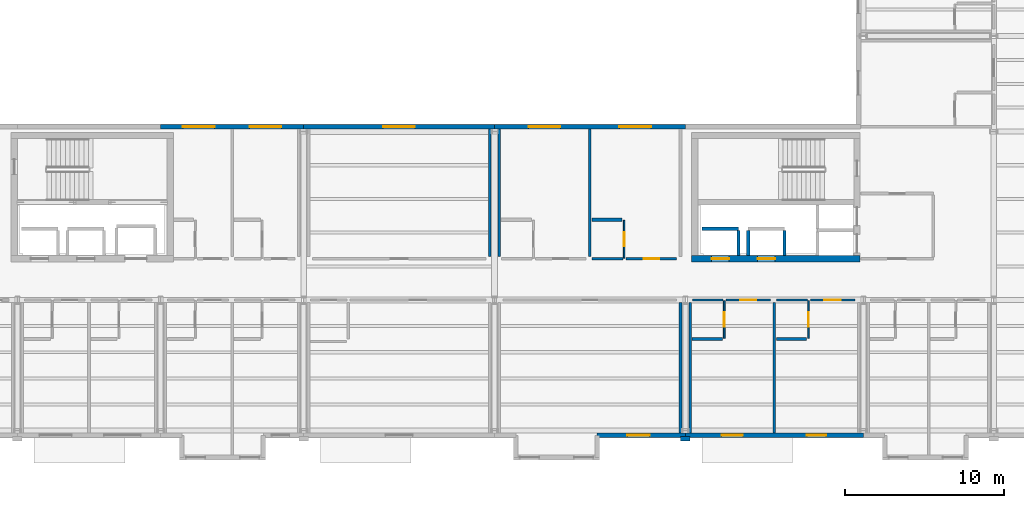
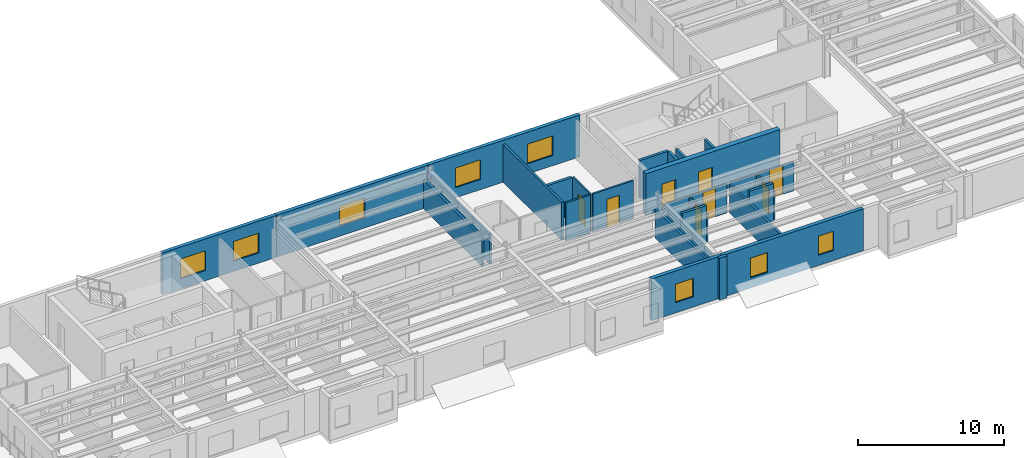
# One storey, part 8 of 17: 29 walls, 8 doors, 8 windows, 16 openings.
"""IFC4 building model written with IfcOpenShell, lengths in metres."""

import ifcopenshell
import ifcopenshell.guid

model = None  # the IFC model being written
_history = None  # IfcOwnerHistory: only IFC2X3 demands one
_inside = {}  # id of a spatial element -> (the spatial element, [elements in it])
_under = {}  # id of a project, library or spatial element -> (it, [spatial elements below it])
_declared = {}  # id of a project -> (the project, [libraries it declares])
_typed = {}  # id of a type object -> (the type object, [elements of that type])
_made_of = {}  # id of a material, layer set ... -> (it, [elements and type objects made of it])


def new_model(schema):
    """Start an empty IFC model of exactly this schema.

    Asked for "IFC4X3", IfcOpenShell would pick the latest addendum, in which some entities
    have other attributes; the version numbers below select the first issue.
    IFC2X3 requires an IfcOwnerHistory on every rooted entity: one is made here for all.
    """
    global model, _history
    if schema == "IFC4X3":
        model = ifcopenshell.file(schema_version=(4, 3, 0, 0))
    else:
        model = ifcopenshell.file(schema=schema)
    _inside.clear()
    _under.clear()
    _declared.clear()
    _typed.clear()
    _made_of.clear()
    _history = None
    if model.schema == "IFC2X3":
        org = make("IfcOrganization", Name="unknown")
        user = make(
            "IfcPersonAndOrganization",
            ThePerson=make("IfcPerson", FamilyName="unknown"),
            TheOrganization=org,
        )
        app = make(
            "IfcApplication",
            ApplicationDeveloper=org,
            Version="unknown",
            ApplicationFullName="unknown",
            ApplicationIdentifier="unknown",
        )
        _history = make(
            "IfcOwnerHistory",
            OwningUser=user,
            OwningApplication=app,
            ChangeAction="ADDED",
            CreationDate=0,
        )
    return model


def make(cls, **values):
    """One entity of the class cls with the attributes given. An attribute that is None is left unset."""
    return model.create_entity(
        cls, **{name: value for name, value in values.items() if value is not None}
    )


def rooted(cls, **values):
    """An entity with a GlobalId (a new one), such as an element, a storey or a relation."""
    return make(cls, GlobalId=ifcopenshell.guid.new(), OwnerHistory=_history, **values)


def si_unit(unit_type, name, prefix=None):
    """IfcSIUnit, for example si_unit("LENGTHUNIT", "METRE", prefix="MILLI")."""
    return make("IfcSIUnit", UnitType=unit_type, Prefix=prefix, Name=name)


def assignment(units):
    """IfcUnitAssignment: the units of a project."""
    return None if units is None else make("IfcUnitAssignment", Units=units)


def point(xyz):
    """IfcCartesianPoint."""
    return None if xyz is None else make("IfcCartesianPoint", Coordinates=xyz)


def direction(xyz):
    """IfcDirection."""
    return None if xyz is None else make("IfcDirection", DirectionRatios=xyz)


def frame(location, z_axis=None, x_axis=None):
    """IfcAxis2Placement3D, a coordinate frame: its origin and axes. An axis left out is left unset."""
    return make(
        "IfcAxis2Placement3D",
        Location=point(location),
        Axis=direction(z_axis),
        RefDirection=direction(x_axis),
    )


def frame_2d(location, x_axis=None):
    """IfcAxis2Placement2D, a coordinate frame in the plane: its origin and x axis."""
    return make(
        "IfcAxis2Placement2D", Location=point(location), RefDirection=direction(x_axis)
    )


def origin():
    """The frame at (0, 0, 0) with its axes left unset."""
    return frame((0.0, 0.0, 0.0))


def place(relative_to, where):
    """IfcLocalPlacement: puts the frame where relative to a parent placement (None: the world)."""
    return make(
        "IfcLocalPlacement", PlacementRelTo=relative_to, RelativePlacement=where
    )


def context(
    kind, dimensions, precision=None, world=None, true_north=None, identifier=None
):
    """IfcGeometricRepresentationContext, for example the 3D "Model" context."""
    return make(
        "IfcGeometricRepresentationContext",
        ContextIdentifier=identifier,
        ContextType=kind,
        CoordinateSpaceDimension=dimensions,
        Precision=precision,
        WorldCoordinateSystem=world,
        TrueNorth=true_north,
    )


def subcontext(parent, identifier, kind, view, scale=None):
    """IfcGeometricRepresentationSubContext, for example "Body" below "Model"."""
    return make(
        "IfcGeometricRepresentationSubContext",
        ContextIdentifier=identifier,
        ContextType=kind,
        ParentContext=parent,
        TargetScale=scale,
        TargetView=view,
    )


def project(units=None, contexts=None):
    """IfcProject with its units and contexts."""
    return rooted(
        "IfcProject",
        Name="project",
        RepresentationContexts=contexts,
        UnitsInContext=assignment(units),
    )


def spatial(cls, under=None, at=None, **own):
    """A site, building, storey or space (cls), placed at a placement, below another one or the project."""
    s = rooted(cls, ObjectPlacement=at, **own)
    if under is not None:
        _under.setdefault(under.id(), (under, []))[1].append(s)
    return s


def profile(cls, at=None, kind="AREA", **sizes):
    """A parametric profile (cls). Its sizes go by their IFC names, for example OverallWidth=200.0."""
    return make(cls, ProfileType=kind, Position=at, **sizes)


def rectangle(**sizes):
    """IfcRectangleProfileDef."""
    return profile("IfcRectangleProfileDef", **sizes)


def extrude(swept, where, along, depth):
    """IfcExtrudedAreaSolid: the profile swept, set in the frame where, extruded along a direction by depth."""
    return make(
        "IfcExtrudedAreaSolid",
        SweptArea=swept,
        Position=where,
        ExtrudedDirection=direction(along),
        Depth=depth,
    )


def shape(context_of_items, identifier, shape_type, items):
    """IfcShapeRepresentation: the items that make up one representation, for example the "Body"."""
    return make(
        "IfcShapeRepresentation",
        ContextOfItems=context_of_items,
        RepresentationIdentifier=identifier,
        RepresentationType=shape_type,
        Items=items,
    )


def material(Name=None, Category=None):
    """IfcMaterial."""
    return make("IfcMaterial", Name=Name, Category=Category)


def layer(
    of_material, thickness, ventilated=None, Name=None, Category=None, Priority=None
):
    """IfcMaterialLayer: one layer of a wall or slab, of a material (None: an air gap)."""
    return make(
        "IfcMaterialLayer",
        Material=of_material,
        LayerThickness=thickness,
        IsVentilated=ventilated,
        Name=Name,
        Category=Category,
        Priority=Priority,
    )


def layer_set(layers, Name=None):
    """IfcMaterialLayerSet."""
    return make("IfcMaterialLayerSet", MaterialLayers=layers, LayerSetName=Name)


def made_of(thing, what):
    """Note that an element or type object is made of a material, layer set ...; save() writes the relation."""
    if what is not None:
        _made_of.setdefault(what.id(), (what, []))[1].append(thing)
    return thing


def type_object(cls, material=None, **own):
    """A type object (cls), such as IfcWallType, which elements share."""
    return made_of(rooted(cls, **own), material)


def element(
    cls,
    number,
    at=None,
    inside=None,
    cuts=None,
    type_object=None,
    material=None,
    context=None,
    identifier="Body",
    shape_type=None,
    held_by="IfcProductDefinitionShape",
    body=None,
    shapes=None,
    **own,
):
    """One element of the class cls, such as IfcWall. Its Tag is "e" and its number.

    at: its placement. inside: the storey or other place that contains it. cuts: it is an
    opening in that element (IfcRelVoidsElement). A single representation is given by context,
    identifier, shape_type and body (its items); several are given by shapes. held_by: the class
    of the entity that holds the representations. save() writes the other relations.
    """
    e = rooted(cls, Tag="e%d" % number, ObjectPlacement=at, **own)
    if body is not None:
        shapes = [shape(context, identifier, shape_type, body)]
    if shapes is not None:
        e.Representation = make(held_by, Representations=shapes)
    if inside is not None:
        _inside.setdefault(inside.id(), (inside, []))[1].append(e)
    if cuts is not None:
        rooted(
            "IfcRelVoidsElement", RelatingBuildingElement=cuts, RelatedOpeningElement=e
        )
    if type_object is not None:
        _typed.setdefault(type_object.id(), (type_object, []))[1].append(e)
    return made_of(e, material)


def fill(opening, filler):
    """IfcRelFillsElement: the door or window that sits in an opening."""
    return rooted(
        "IfcRelFillsElement",
        RelatingOpeningElement=opening,
        RelatedBuildingElement=filler,
    )


def aggregate(whole, parts):
    """IfcRelAggregates: a whole, such as a stair, and the parts it consists of."""
    return rooted("IfcRelAggregates", RelatingObject=whole, RelatedObjects=parts)


def save(model, path):
    """Write the relations noted so far, then the file.

    IfcRelAggregates (storeys below a building ...), IfcRelContainedInSpatialStructure (elements
    in a storey), IfcRelDefinesByType, IfcRelAssociatesMaterial and IfcRelDeclares: one each for
    every whole, place, type object, material and project.
    """
    for whole, parts in _under.values():
        aggregate(whole, parts)
    for where, things in _inside.values():
        rooted(
            "IfcRelContainedInSpatialStructure",
            RelatedElements=things,
            RelatingStructure=where,
        )
    for kind, things in _typed.values():
        rooted("IfcRelDefinesByType", RelatedObjects=things, RelatingType=kind)
    for what, things in _made_of.values():
        rooted("IfcRelAssociatesMaterial", RelatedObjects=things, RelatingMaterial=what)
    for by, libraries in _declared.values():
        rooted("IfcRelDeclares", RelatingContext=by, RelatedDefinitions=libraries)
    model.write(path)


model = new_model("IFC4")

# Units and contexts
model_context = context("Model", 3, precision=1e-05, world=origin(), true_north=direction((0.0, 1.0)))
body_context = subcontext(model_context, "Body", "Model", "MODEL_VIEW")
ifc_project = project(units=[si_unit("LENGTHUNIT", "METRE"), si_unit("AREAUNIT", "SQUARE_METRE"), si_unit("VOLUMEUNIT", "CUBIC_METRE"), si_unit("PLANEANGLEUNIT", "RADIAN"), si_unit("MASSUNIT", "GRAM", prefix="KILO")], contexts=[model_context])

# Site, building, storey
site_placement = place(None, origin())
site = spatial("IfcSite", under=ifc_project, at=site_placement, CompositionType="ELEMENT")
building_placement = place(site_placement, origin())
building = spatial("IfcBuilding", under=site, at=building_placement, Name="Sollismere Congress Hotel", CompositionType="ELEMENT")
storey_placement = place(building_placement, frame((0.0, 0.0, 41.10009765625)))
storey = spatial("IfcBuildingStorey", under=building, at=storey_placement, Name="L10", CompositionType="ELEMENT", Elevation=41.10009765625)

# Wall, opening, window
ifc_material_1 = material(Name="Colorado Buff Sandstone Rainscreen on Insulated Backup", Category="masonry")
ifc_layer_1 = layer(ifc_material_1, 0.284912109375, Name="Colorado Buff Sandstone Rainscreen on Insulated Backup")
ifc_layer_set_1 = layer_set([ifc_layer_1], Name="Colorado Buff Sandstone Rainscreen on Insulated Backup")
wall_type_1 = type_object("IfcWallType", Name="WL-EXT285", PredefinedType="STANDARD", material=ifc_layer_set_1)
wall_1_placement = place(storey_placement, frame((130.4599609375, -0.31005859375, 0.0), z_axis=(0.0, 0.0, 1.0), x_axis=(1.0, 0.0, 0.0)))
wall_1 = element("IfcWall", 1, at=wall_1_placement, inside=storey, type_object=wall_type_1, Name="Exterior wall EW-L10-953", PredefinedType="STANDARD", context=body_context, shape_type="SweptSolid", body=[
    extrude(rectangle(XDim=5.5400390625, YDim=0.284912109375, at=frame_2d((2.77001953125, 0.0))), origin(), (0.0, 0.0, 1.0), 3.5),
])
opening_1_placement = place(wall_1_placement, frame((1.89501953125, 0.0, 0.85009765625)))
opening_1 = element("IfcOpeningElement", 2, at=opening_1_placement, cuts=wall_1, Name="Opening W-L10-682", PredefinedType="OPENING", context=body_context, shape_type="SweptSolid", body=[
    extrude(rectangle(XDim=1.39990234375, YDim=1.550048828125, at=frame_2d((0.699951171875, 0.77490234375))), frame((0.0, 0.15234375, 0.0), z_axis=(0.0, -1.0, 0.0), x_axis=(1.0, 0.0, 0.0)), (0.0, 0.0, 1.0), 0.304931640625),
])
ifc_material_2 = material(Name="Thermally Broken Bronze Aluminum & Low-E Glass", Category="aluminium")
window_type_1 = type_object("IfcWindowType", Name="WN-P140x155", PartitioningType="SINGLE_PANEL", PredefinedType="WINDOW", material=ifc_material_2)
window_1_placement = place(opening_1_placement, origin())
window_1 = element("IfcWindow", 3, at=window_1_placement, inside=storey, type_object=window_type_1, Name="WIN-W-L10-682", OverallHeight=1.550048828125, OverallWidth=1.39990234375, PartitioningType="SINGLE_PANEL", PredefinedType="WINDOW", context=body_context, shape_type="SweptSolid", body=[
    extrude(rectangle(XDim=1.39990234375, YDim=1.550048828125, at=frame_2d((0.699951171875, 0.77490234375))), frame((0.0, 0.030029296875, 0.0), z_axis=(0.0, -1.0, 0.0), x_axis=(1.0, 0.0, 0.0)), (0.0, 0.0, 1.0), 0.06005859375),
])
fill(opening_1, window_1)

# Wall, openings, windows
wall_2_placement = place(storey_placement, frame((136.0, -0.31005859375, 0.0), z_axis=(0.0, 0.0, 1.0), x_axis=(1.0, 0.0, 0.0)))
wall_2 = element("IfcWall", 4, at=wall_2_placement, inside=storey, type_object=wall_type_1, Name="Exterior wall EW-L10-957", PredefinedType="STANDARD", context=body_context, shape_type="SweptSolid", body=[
    extrude(rectangle(XDim=11.199951171875, YDim=0.284912109375, at=frame_2d((5.60009765625, 0.0))), origin(), (0.0, 0.0, 1.0), 3.5),
])
opening_2_placement = place(wall_2_placement, frame((2.27490234375, 0.0, 0.85009765625)))
opening_2 = element("IfcOpeningElement", 5, at=opening_2_placement, cuts=wall_2, Name="Opening W-L10-685", PredefinedType="OPENING", context=body_context, shape_type="SweptSolid", body=[
    extrude(rectangle(XDim=1.35009765625, YDim=1.64990234375, at=frame_2d((0.675048828125, 0.824951171875))), frame((0.0, 0.15234375, 0.0), z_axis=(0.0, -1.0, 0.0), x_axis=(1.0, 0.0, 0.0)), (0.0, 0.0, 1.0), 0.304931640625),
])
opening_3_placement = place(wall_2_placement, frame((7.64990234375, 0.0, 0.85009765625)))
opening_3 = element("IfcOpeningElement", 6, at=opening_3_placement, cuts=wall_2, Name="Opening W-L10-686", PredefinedType="OPENING", context=body_context, shape_type="SweptSolid", body=[
    extrude(rectangle(XDim=1.199951171875, YDim=1.60009765625, at=frame_2d((0.60009765625, 0.800048828125))), frame((0.0, 0.15234375, 0.0), z_axis=(0.0, -1.0, 0.0), x_axis=(1.0, 0.0, 0.0)), (0.0, 0.0, 1.0), 0.304931640625),
])
window_type_2 = type_object("IfcWindowType", Name="WN-P120x160", PartitioningType="SINGLE_PANEL", PredefinedType="WINDOW", material=ifc_material_2)
window_2_placement = place(opening_3_placement, origin())
window_2 = element("IfcWindow", 7, at=window_2_placement, inside=storey, type_object=window_type_2, Name="WIN-W-L10-686", OverallHeight=1.60009765625, OverallWidth=1.199951171875, PartitioningType="SINGLE_PANEL", PredefinedType="WINDOW", context=body_context, shape_type="SweptSolid", body=[
    extrude(rectangle(XDim=1.199951171875, YDim=1.60009765625, at=frame_2d((0.60009765625, 0.800048828125))), frame((0.0, 0.030029296875, 0.0), z_axis=(0.0, -1.0, 0.0), x_axis=(1.0, 0.0, 0.0)), (0.0, 0.0, 1.0), 0.06005859375),
])
fill(opening_3, window_2)
window_type_3 = type_object("IfcWindowType", Name="WN-P135x165", PartitioningType="SINGLE_PANEL", PredefinedType="WINDOW", material=ifc_material_2)
window_3_placement = place(opening_2_placement, origin())
window_3 = element("IfcWindow", 8, at=window_3_placement, inside=storey, type_object=window_type_3, Name="WIN-W-L10-685", OverallHeight=1.64990234375, OverallWidth=1.35009765625, PartitioningType="SINGLE_PANEL", PredefinedType="WINDOW", context=body_context, shape_type="SweptSolid", body=[
    extrude(rectangle(XDim=1.35009765625, YDim=1.64990234375, at=frame_2d((0.675048828125, 0.824951171875))), frame((0.0, 0.030029296875, 0.0), z_axis=(0.0, -1.0, 0.0), x_axis=(1.0, 0.0, 0.0)), (0.0, 0.0, 1.0), 0.06005859375),
])
fill(opening_2, window_3)

wall_3_placement = place(storey_placement, frame((112.0, 19.110107421875, 0.0), z_axis=(0.0, 0.0, 1.0), x_axis=(-1.0, 0.0, 0.0)))
wall_3 = element("IfcWall", 9, at=wall_3_placement, inside=storey, type_object=wall_type_1, Name="Exterior wall EW-L10-986", PredefinedType="STANDARD", context=body_context, shape_type="SweptSolid", body=[
    extrude(rectangle(XDim=9.0, YDim=0.284912109375, at=frame_2d((4.5, 0.0))), origin(), (0.0, 0.0, 1.0), 3.5),
])
opening_4_placement = place(wall_3_placement, frame((5.60009765625, 0.0, 0.85009765625)))
opening_4 = element("IfcOpeningElement", 10, at=opening_4_placement, cuts=wall_3, Name="Opening W-L10-700", PredefinedType="OPENING", context=body_context, shape_type="SweptSolid", body=[
    extrude(rectangle(XDim=2.0, YDim=1.64990234375, at=frame_2d((1.0, 0.824951171875))), frame((0.0, 0.15234375, 0.0), z_axis=(0.0, -1.0, 0.0), x_axis=(1.0, 0.0, 0.0)), (0.0, 0.0, 1.0), 0.304931640625),
])
opening_5_placement = place(wall_3_placement, frame((1.39990234375, 0.0, 0.85009765625)))
opening_5 = element("IfcOpeningElement", 11, at=opening_5_placement, cuts=wall_3, Name="Opening W-L10-701", PredefinedType="OPENING", context=body_context, shape_type="SweptSolid", body=[
    extrude(rectangle(XDim=2.0, YDim=1.64990234375, at=frame_2d((1.0, 0.824951171875))), frame((0.0, 0.15234375, 0.0), z_axis=(0.0, -1.0, 0.0), x_axis=(1.0, 0.0, 0.0)), (0.0, 0.0, 1.0), 0.304931640625),
])
window_type_4 = type_object("IfcWindowType", Name="WN-P200x165", PartitioningType="SINGLE_PANEL", PredefinedType="WINDOW", material=ifc_material_2)
window_4_placement = place(opening_4_placement, origin())
window_4 = element("IfcWindow", 12, at=window_4_placement, inside=storey, type_object=window_type_4, Name="WIN-W-L10-700", OverallHeight=1.64990234375, OverallWidth=2.0, PartitioningType="SINGLE_PANEL", PredefinedType="WINDOW", context=body_context, shape_type="SweptSolid", body=[
    extrude(rectangle(XDim=2.0, YDim=1.64990234375, at=frame_2d((1.0, 0.824951171875))), frame((0.0, 0.030029296875, 0.0), z_axis=(0.0, -1.0, 0.0), x_axis=(1.0, 0.0, 0.0)), (0.0, 0.0, 1.0), 0.06005859375),
])
fill(opening_4, window_4)
window_5_placement = place(opening_5_placement, origin())
window_5 = element("IfcWindow", 13, at=window_5_placement, inside=storey, type_object=window_type_4, Name="WIN-W-L10-701", OverallHeight=1.64990234375, OverallWidth=2.0, PartitioningType="SINGLE_PANEL", PredefinedType="WINDOW", context=body_context, shape_type="SweptSolid", body=[
    extrude(rectangle(XDim=2.0, YDim=1.64990234375, at=frame_2d((1.0, 0.824951171875))), frame((0.0, 0.030029296875, 0.0), z_axis=(0.0, -1.0, 0.0), x_axis=(1.0, 0.0, 0.0)), (0.0, 0.0, 1.0), 0.06005859375),
])
fill(opening_5, window_5)

# Wall, opening, window
wall_4_placement = place(storey_placement, frame((124.0, 19.110107421875, 0.0), z_axis=(0.0, 0.0, 1.0), x_axis=(-1.0, 0.0, 0.0)))
wall_4 = element("IfcWall", 14, at=wall_4_placement, inside=storey, type_object=wall_type_1, Name="Exterior wall EW-L10-987", PredefinedType="STANDARD", context=body_context, shape_type="SweptSolid", body=[
    extrude(rectangle(XDim=12.0, YDim=0.284912109375, at=frame_2d((6.0, 0.0))), origin(), (0.0, 0.0, 1.0), 3.5),
])
opening_6_placement = place(wall_4_placement, frame((5.0, 0.0, 0.85009765625)))
opening_6 = element("IfcOpeningElement", 15, at=opening_6_placement, cuts=wall_4, Name="Opening W-L10-702", PredefinedType="OPENING", context=body_context, shape_type="SweptSolid", body=[
    extrude(rectangle(XDim=2.0, YDim=1.64990234375, at=frame_2d((1.0, 0.824951171875))), frame((0.0, 0.15234375, 0.0), z_axis=(0.0, -1.0, 0.0), x_axis=(1.0, 0.0, 0.0)), (0.0, 0.0, 1.0), 0.304931640625),
])
window_6_placement = place(opening_6_placement, origin())
window_6 = element("IfcWindow", 16, at=window_6_placement, inside=storey, type_object=window_type_4, Name="WIN-W-L10-702", OverallHeight=1.64990234375, OverallWidth=2.0, PartitioningType="SINGLE_PANEL", PredefinedType="WINDOW", context=body_context, shape_type="SweptSolid", body=[
    extrude(rectangle(XDim=2.0, YDim=1.64990234375, at=frame_2d((1.0, 0.824951171875))), frame((0.0, 0.030029296875, 0.0), z_axis=(0.0, -1.0, 0.0), x_axis=(1.0, 0.0, 0.0)), (0.0, 0.0, 1.0), 0.06005859375),
])
fill(opening_6, window_6)

# Wall, openings, windows
wall_5_placement = place(storey_placement, frame((136.0, 19.110107421875, 0.0), z_axis=(0.0, 0.0, 1.0), x_axis=(-1.0, 0.0, 0.0)))
wall_5 = element("IfcWall", 17, at=wall_5_placement, inside=storey, type_object=wall_type_1, Name="Exterior wall EW-L10-988", PredefinedType="STANDARD", context=body_context, shape_type="SweptSolid", body=[
    extrude(rectangle(XDim=12.0, YDim=0.284912109375, at=frame_2d((6.0, 0.0))), origin(), (0.0, 0.0, 1.0), 3.5),
])
opening_7_placement = place(wall_5_placement, frame((7.85009765625, 0.0, 0.85009765625)))
opening_7 = element("IfcOpeningElement", 18, at=opening_7_placement, cuts=wall_5, Name="Opening W-L10-703", PredefinedType="OPENING", context=body_context, shape_type="SweptSolid", body=[
    extrude(rectangle(XDim=2.0, YDim=1.64990234375, at=frame_2d((1.0, 0.824951171875))), frame((0.0, 0.15234375, 0.0), z_axis=(0.0, -1.0, 0.0), x_axis=(1.0, 0.0, 0.0)), (0.0, 0.0, 1.0), 0.304931640625),
])
opening_8_placement = place(wall_5_placement, frame((2.14990234375, 0.0, 0.85009765625)))
opening_8 = element("IfcOpeningElement", 19, at=opening_8_placement, cuts=wall_5, Name="Opening W-L10-704", PredefinedType="OPENING", context=body_context, shape_type="SweptSolid", body=[
    extrude(rectangle(XDim=2.0, YDim=1.64990234375, at=frame_2d((1.0, 0.824951171875))), frame((0.0, 0.15234375, 0.0), z_axis=(0.0, -1.0, 0.0), x_axis=(1.0, 0.0, 0.0)), (0.0, 0.0, 1.0), 0.304931640625),
])
window_7_placement = place(opening_7_placement, origin())
window_7 = element("IfcWindow", 20, at=window_7_placement, inside=storey, type_object=window_type_4, Name="WIN-W-L10-703", OverallHeight=1.64990234375, OverallWidth=2.0, PartitioningType="SINGLE_PANEL", PredefinedType="WINDOW", context=body_context, shape_type="SweptSolid", body=[
    extrude(rectangle(XDim=2.0, YDim=1.64990234375, at=frame_2d((1.0, 0.824951171875))), frame((0.0, 0.030029296875, 0.0), z_axis=(0.0, -1.0, 0.0), x_axis=(1.0, 0.0, 0.0)), (0.0, 0.0, 1.0), 0.06005859375),
])
fill(opening_7, window_7)
window_8_placement = place(opening_8_placement, origin())
window_8 = element("IfcWindow", 21, at=window_8_placement, inside=storey, type_object=window_type_4, Name="WIN-W-L10-704", OverallHeight=1.64990234375, OverallWidth=2.0, PartitioningType="SINGLE_PANEL", PredefinedType="WINDOW", context=body_context, shape_type="SweptSolid", body=[
    extrude(rectangle(XDim=2.0, YDim=1.64990234375, at=frame_2d((1.0, 0.824951171875))), frame((0.0, 0.030029296875, 0.0), z_axis=(0.0, -1.0, 0.0), x_axis=(1.0, 0.0, 0.0)), (0.0, 0.0, 1.0), 0.06005859375),
])
fill(opening_8, window_8)

# Walls
ifc_material_3 = material(Name="Carved Travertine Pilaster & Frieze Assembly", Category="masonry")
ifc_layer_2 = layer(ifc_material_3, 0.260009765625, Name="Carved Travertine Pilaster & Frieze Assembly")
ifc_layer_set_2 = layer_set([ifc_layer_2], Name="Carved Travertine Pilaster & Frieze Assembly")
wall_type_2 = type_object("IfcWallType", Name="WL-PIL280", PredefinedType="ELEMENTEDWALL", material=ifc_layer_set_2)
wall_6_placement = place(storey_placement, frame((135.699951171875, -0.52001953125, 0.0), z_axis=(0.0, 0.0, 1.0), x_axis=(1.0, 0.0, 0.0)))
element("IfcWall", 22, at=wall_6_placement, inside=storey, type_object=wall_type_2, Name="Exterior wall EW-L10-958", PredefinedType="ELEMENTEDWALL", context=body_context, shape_type="SweptSolid", body=[
    extrude(rectangle(XDim=0.60009765625, YDim=0.260009765625, at=frame_2d((0.300048828125, 0.0))), origin(), (0.0, 0.0, 1.0), 3.5),
])
ifc_material_4 = material(Name="Moisture-Resistant Shaft Gypsum Assembly")
ifc_layer_3 = layer(ifc_material_4, 0.199951171875, Name="Moisture-Resistant Shaft Gypsum Assembly")
ifc_layer_set_3 = layer_set([ifc_layer_3], Name="Moisture-Resistant Shaft Gypsum Assembly")
wall_type_3 = type_object("IfcWallType", Name="WL-PLM200", PredefinedType="PLUMBINGWALL", material=ifc_layer_set_3)
wall_7_placement = place(storey_placement, frame((137.054931640625, 12.68994140625, 0.0), z_axis=(0.0, 0.0, 1.0), x_axis=(1.0, 0.0, 0.0)))
element("IfcWall", 23, at=wall_7_placement, inside=storey, type_object=wall_type_3, Name="Interior wall IW-L10-0182", PredefinedType="PLUMBINGWALL", context=body_context, shape_type="SweptSolid", body=[
    extrude(rectangle(XDim=2.2900390625, YDim=0.199951171875, at=frame_2d((1.14501953125, 0.0))), origin(), (0.0, 0.0, 1.0), 3.179931640625),
])
for number, where, z_axis, x_axis, name in (
    (24, (139.344970703125, 11.011962890625, 0.0), (0.0, 0.0, 1.0), (0.0, 1.0, 0.0), "Interior wall IW-L10-0183"),
    (25, (139.955078125, 11.011962890625, 0.0), (0.0, 0.0, 1.0), (0.0, 1.0, 0.0), "Interior wall IW-L10-0185"),
    (26, (142.2451171875, 11.011962890625, 0.0), (0.0, 0.0, 1.0), (0.0, 1.0, 0.0), "Interior wall IW-L10-0186"),
):
    element("IfcWall", number, at=place(storey_placement, frame(where, z_axis=z_axis, x_axis=x_axis)), inside=storey, type_object=wall_type_3, Name=name, PredefinedType="PLUMBINGWALL", context=body_context, shape_type="SweptSolid", body=[
        extrude(rectangle(XDim=1.56591796875, YDim=0.199951171875, at=frame_2d((0.782958984375, 0.0))), origin(), (0.0, 0.0, 1.0), 3.179931640625),
    ])
wall_8_placement = place(storey_placement, frame((130.1201171875, 13.25, 0.0), z_axis=(0.0, 0.0, 1.0), x_axis=(1.0, 0.0, 0.0)))
element("IfcWall", 27, at=wall_8_placement, inside=storey, type_object=wall_type_3, Name="Interior wall IW-L10-2788", PredefinedType="PLUMBINGWALL", context=body_context, shape_type="SweptSolid", body=[
    extrude(rectangle(XDim=1.909912109375, YDim=0.199951171875, at=frame_2d((0.955078125, 0.0))), origin(), (0.0, 0.0, 1.0), 3.179931640625),
])
wall_9_placement = place(storey_placement, frame((136.419921875, 5.75, 0.0), z_axis=(0.0, 0.0, 1.0), x_axis=(1.0, 0.0, 0.0)))
element("IfcWall", 28, at=wall_9_placement, inside=storey, type_object=wall_type_3, Name="Interior wall IW-L10-2794", PredefinedType="PLUMBINGWALL", context=body_context, shape_type="SweptSolid", body=[
    extrude(rectangle(XDim=1.91015625, YDim=0.199951171875, at=frame_2d((0.955078125, 0.0))), origin(), (0.0, 0.0, 1.0), 3.179931640625),
])
wall_10_placement = place(storey_placement, frame((141.719970703125, 5.75, 0.0), z_axis=(0.0, 0.0, 1.0), x_axis=(1.0, 0.0, 0.0)))
element("IfcWall", 29, at=wall_10_placement, inside=storey, type_object=wall_type_3, Name="Interior wall IW-L10-2799", PredefinedType="PLUMBINGWALL", context=body_context, shape_type="SweptSolid", body=[
    extrude(rectangle(XDim=1.909912109375, YDim=0.199951171875, at=frame_2d((0.955078125, 0.0))), origin(), (0.0, 0.0, 1.0), 3.179931640625),
])

# Wall, opening, door
ifc_material_5 = material(Name="Moisture-Resistant Gypsum Partition")
ifc_layer_4 = layer(ifc_material_5, 0.10009765625, Name="Moisture-Resistant Gypsum Partition")
ifc_layer_set_4 = layer_set([ifc_layer_4], Name="Moisture-Resistant Gypsum Partition")
wall_type_4 = type_object("IfcWallType", Name="WL-PRT100", PredefinedType="PARTITIONING", material=ifc_layer_set_4)
wall_11_placement = place(storey_placement, frame((132.14990234375, 10.840087890625, 0.0), z_axis=(0.0, 0.0, 1.0), x_axis=(0.0, 1.0, 0.0)))
wall_11 = element("IfcWall", 30, at=wall_11_placement, inside=storey, type_object=wall_type_4, Name="Interior wall IW-L10-2787", PredefinedType="PARTITIONING", context=body_context, shape_type="SweptSolid", body=[
    extrude(rectangle(XDim=2.369873046875, YDim=0.10009765625, at=frame_2d((1.18505859375, 0.0))), origin(), (0.0, 0.0, 1.0), 3.179931640625),
])
opening_9_placement = place(wall_11_placement, frame((0.7451171875, 0.0, 0.0)))
opening_9 = element("IfcOpeningElement", 31, at=opening_9_placement, cuts=wall_11, Name="Opening D-L10-0985", PredefinedType="OPENING", context=body_context, shape_type="SweptSolid", body=[
    extrude(rectangle(XDim=0.8798828125, YDim=2.179931640625, at=frame_2d((0.43994140625, 1.08984375))), frame((0.0, 0.06005859375, 0.0), z_axis=(0.0, -1.0, 0.0), x_axis=(1.0, 0.0, 0.0)), (0.0, 0.0, 1.0), 0.1201171875),
])
ifc_material_6 = material(Name="Moisture-Sealed Timber Bathroom Door", Category="wood")
door_type_1 = type_object("IfcDoorType", Name="DR-BT05", OperationType="NOTDEFINED", PredefinedType="DOOR", material=ifc_material_6)
door_1_placement = place(opening_9_placement, origin())
door_1 = element("IfcDoor", 32, at=door_1_placement, inside=storey, type_object=door_type_1, Name="En-suite bathroom door D-L10-0985", OperationType="SINGLE_SWING_RIGHT", OverallHeight=2.179931640625, OverallWidth=0.8798828125, PredefinedType="DOOR", context=body_context, shape_type="SweptSolid", body=[
    extrude(rectangle(XDim=0.8798828125, YDim=2.179931640625, at=frame_2d((0.43994140625, 1.08984375))), frame((0.0, 0.02490234375, 0.0), z_axis=(0.0, -1.0, 0.0), x_axis=(1.0, 0.0, 0.0)), (0.0, 0.0, 1.0), 0.050048828125),
])
fill(opening_9, door_1)

wall_12_placement = place(storey_placement, frame((138.449951171875, 5.7900390625, 0.0), z_axis=(0.0, 0.0, 1.0), x_axis=(0.0, 1.0, 0.0)))
wall_12 = element("IfcWall", 33, at=wall_12_placement, inside=storey, type_object=wall_type_4, Name="Interior wall IW-L10-2793", PredefinedType="PARTITIONING", context=body_context, shape_type="SweptSolid", body=[
    extrude(rectangle(XDim=2.369873046875, YDim=0.10009765625, at=frame_2d((1.18505859375, 0.0))), origin(), (0.0, 0.0, 1.0), 2.41796875),
])
opening_10_placement = place(wall_12_placement, frame((0.73291015625, 0.0, 0.0)))
opening_10 = element("IfcOpeningElement", 34, at=opening_10_placement, cuts=wall_12, Name="Opening D-L10-0987", PredefinedType="OPENING", context=body_context, shape_type="SweptSolid", body=[
    extrude(rectangle(XDim=0.905029296875, YDim=2.179931640625, at=frame_2d((0.45263671875, 1.08984375))), frame((0.0, 0.06005859375, 0.0), z_axis=(0.0, -1.0, 0.0), x_axis=(1.0, 0.0, 0.0)), (0.0, 0.0, 1.0), 0.1201171875),
])
door_type_2 = type_object("IfcDoorType", Name="DR-BT06", OperationType="NOTDEFINED", PredefinedType="DOOR", material=ifc_material_6)
door_2_placement = place(opening_10_placement, origin())
door_2 = element("IfcDoor", 35, at=door_2_placement, inside=storey, type_object=door_type_2, Name="En-suite bathroom door D-L10-0987", OperationType="SINGLE_SWING_RIGHT", OverallHeight=2.179931640625, OverallWidth=0.905029296875, PredefinedType="DOOR", context=body_context, shape_type="SweptSolid", body=[
    extrude(rectangle(XDim=0.905029296875, YDim=2.179931640625, at=frame_2d((0.45263671875, 1.08984375))), frame((0.0, 0.02490234375, 0.0), z_axis=(0.0, -1.0, 0.0), x_axis=(1.0, 0.0, 0.0)), (0.0, 0.0, 1.0), 0.050048828125),
])
fill(opening_10, door_2)

wall_13_placement = place(storey_placement, frame((143.75, 5.7900390625, 0.0), z_axis=(0.0, 0.0, 1.0), x_axis=(0.0, 1.0, 0.0)))
wall_13 = element("IfcWall", 36, at=wall_13_placement, inside=storey, type_object=wall_type_4, Name="Interior wall IW-L10-2798", PredefinedType="PARTITIONING", context=body_context, shape_type="SweptSolid", body=[
    extrude(rectangle(XDim=2.369873046875, YDim=0.10009765625, at=frame_2d((1.18505859375, 0.0))), origin(), (0.0, 0.0, 1.0), 2.41796875),
])
opening_11_placement = place(wall_13_placement, frame((0.719970703125, 0.0, 0.0)))
opening_11 = element("IfcOpeningElement", 37, at=opening_11_placement, cuts=wall_13, Name="Opening D-L10-0989", PredefinedType="OPENING", context=body_context, shape_type="SweptSolid", body=[
    extrude(rectangle(XDim=0.929931640625, YDim=2.219970703125, at=frame_2d((0.46484375, 1.10986328125))), frame((0.0, 0.06005859375, 0.0), z_axis=(0.0, -1.0, 0.0), x_axis=(1.0, 0.0, 0.0)), (0.0, 0.0, 1.0), 0.1201171875),
])
door_type_3 = type_object("IfcDoorType", Name="DR-BT07", OperationType="NOTDEFINED", PredefinedType="DOOR", material=ifc_material_6)
door_3_placement = place(opening_11_placement, origin())
door_3 = element("IfcDoor", 38, at=door_3_placement, inside=storey, type_object=door_type_3, Name="En-suite bathroom door D-L10-0989", OperationType="SINGLE_SWING_RIGHT", OverallHeight=2.219970703125, OverallWidth=0.929931640625, PredefinedType="DOOR", context=body_context, shape_type="SweptSolid", body=[
    extrude(rectangle(XDim=0.929931640625, YDim=2.219970703125, at=frame_2d((0.46484375, 1.10986328125))), frame((0.0, 0.02490234375, 0.0), z_axis=(0.0, -1.0, 0.0), x_axis=(1.0, 0.0, 0.0)), (0.0, 0.0, 1.0), 0.050048828125),
])
fill(opening_11, door_3)

# Wall
ifc_material_7 = material(Name="Fire-Rated Gypsum Partition")
ifc_layer_5 = layer(ifc_material_7, 0.139892578125, Name="Fire-Rated Gypsum Partition")
ifc_layer_set_5 = layer_set([ifc_layer_5], Name="Fire-Rated Gypsum Partition")
wall_type_5 = type_object("IfcWallType", Name="WL-PRT140R", PredefinedType="PARTITIONING", material=ifc_layer_set_5)
wall_14_placement = place(storey_placement, frame((130.139892578125, 10.800048828125, 0.0), z_axis=(0.0, 0.0, 1.0), x_axis=(1.0, 0.0, 0.0)))
element("IfcWall", 39, at=wall_14_placement, inside=storey, type_object=wall_type_5, Name="Interior wall IW-L10-2784", PredefinedType="PARTITIONING", context=body_context, shape_type="SweptSolid", body=[
    extrude(rectangle(XDim=1.93017578125, YDim=0.139892578125, at=frame_2d((0.965087890625, 0.0))), origin(), (0.0, 0.0, 1.0), 3.179931640625),
])

# Wall, opening, door
wall_15_placement = place(storey_placement, frame((132.27001953125, 10.800048828125, 0.0), z_axis=(0.0, 0.0, 1.0), x_axis=(1.0, 0.0, 0.0)))
wall_15 = element("IfcWall", 40, at=wall_15_placement, inside=storey, type_object=wall_type_5, Name="Interior wall IW-L10-2785", PredefinedType="PARTITIONING", context=body_context, shape_type="SweptSolid", body=[
    extrude(rectangle(XDim=3.18994140625, YDim=0.139892578125, at=frame_2d((1.594970703125, 0.0))), origin(), (0.0, 0.0, 1.0), 3.179931640625),
])
opening_12_placement = place(wall_15_placement, frame((1.10498046875, 0.0, 0.0)))
opening_12 = element("IfcOpeningElement", 41, at=opening_12_placement, cuts=wall_15, Name="Opening D-L10-0984", PredefinedType="OPENING", context=body_context, shape_type="SweptSolid", body=[
    extrude(rectangle(XDim=0.97998046875, YDim=2.35009765625, at=frame_2d((0.489990234375, 1.175048828125))), frame((0.0, 0.079833984375, 0.0), z_axis=(0.0, -1.0, 0.0), x_axis=(1.0, 0.0, 0.0)), (0.0, 0.0, 1.0), 0.159912109375),
])
ifc_material_8 = material(Name="Solid-Core Acoustic Walnut Guestroom Entry Door")
door_type_4 = type_object("IfcDoorType", Name="DR-KY09", OperationType="NOTDEFINED", PredefinedType="DOOR", material=ifc_material_8)
door_4_placement = place(opening_12_placement, origin())
door_4 = element("IfcDoor", 42, at=door_4_placement, inside=storey, type_object=door_type_4, Name="Hotel room entry door D-L10-0984", OperationType="SINGLE_SWING_LEFT", OverallHeight=2.35009765625, OverallWidth=0.97998046875, PredefinedType="DOOR", context=body_context, shape_type="SweptSolid", body=[
    extrude(rectangle(XDim=0.97998046875, YDim=2.35009765625, at=frame_2d((0.489990234375, 1.175048828125))), frame((0.0, 0.02490234375, 0.0), z_axis=(0.0, -1.0, 0.0), x_axis=(1.0, 0.0, 0.0)), (0.0, 0.0, 1.0), 0.050048828125),
])
fill(opening_12, door_4)

# Wall
wall_16_placement = place(storey_placement, frame((136.43994140625, 8.199951171875, 0.0), z_axis=(0.0, 0.0, 1.0), x_axis=(1.0, 0.0, 0.0)))
element("IfcWall", 43, at=wall_16_placement, inside=storey, type_object=wall_type_5, Name="Interior wall IW-L10-2789", PredefinedType="PARTITIONING", context=body_context, shape_type="SweptSolid", body=[
    extrude(rectangle(XDim=1.93017578125, YDim=0.139892578125, at=frame_2d((0.965087890625, 0.0))), origin(), (0.0, 0.0, 1.0), 2.41796875),
])

# Wall, opening, door
wall_17_placement = place(storey_placement, frame((138.570068359375, 8.199951171875, 0.0), z_axis=(0.0, 0.0, 1.0), x_axis=(1.0, 0.0, 0.0)))
wall_17 = element("IfcWall", 44, at=wall_17_placement, inside=storey, type_object=wall_type_5, Name="Interior wall IW-L10-2790", PredefinedType="PARTITIONING", context=body_context, shape_type="SweptSolid", body=[
    extrude(rectangle(XDim=2.7900390625, YDim=0.139892578125, at=frame_2d((1.39501953125, 0.0))), origin(), (0.0, 0.0, 1.0), 2.41796875),
])
opening_13_placement = place(wall_17_placement, frame((0.889892578125, 0.0, 0.0)))
opening_13 = element("IfcOpeningElement", 45, at=opening_13_placement, cuts=wall_17, Name="Opening D-L10-0986", PredefinedType="OPENING", context=body_context, shape_type="SweptSolid", body=[
    extrude(rectangle(XDim=1.010009765625, YDim=2.35009765625, at=frame_2d((0.5048828125, 1.175048828125))), frame((0.0, 0.079833984375, 0.0), z_axis=(0.0, -1.0, 0.0), x_axis=(1.0, 0.0, 0.0)), (0.0, 0.0, 1.0), 0.159912109375),
])
door_type_5 = type_object("IfcDoorType", Name="DR-KY10", OperationType="NOTDEFINED", PredefinedType="DOOR", material=ifc_material_8)
door_5_placement = place(opening_13_placement, origin())
door_5 = element("IfcDoor", 46, at=door_5_placement, inside=storey, type_object=door_type_5, Name="Hotel room entry door D-L10-0986", OperationType="SINGLE_SWING_LEFT", OverallHeight=2.35009765625, OverallWidth=1.010009765625, PredefinedType="DOOR", context=body_context, shape_type="SweptSolid", body=[
    extrude(rectangle(XDim=1.010009765625, YDim=2.35009765625, at=frame_2d((0.5048828125, 1.175048828125))), frame((0.0, 0.02490234375, 0.0), z_axis=(0.0, -1.0, 0.0), x_axis=(1.0, 0.0, 0.0)), (0.0, 0.0, 1.0), 0.050048828125),
])
fill(opening_13, door_5)

# Wall
wall_18_placement = place(storey_placement, frame((141.739990234375, 8.199951171875, 0.0), z_axis=(0.0, 0.0, 1.0), x_axis=(1.0, 0.0, 0.0)))
element("IfcWall", 47, at=wall_18_placement, inside=storey, type_object=wall_type_5, Name="Interior wall IW-L10-2795", PredefinedType="PARTITIONING", context=body_context, shape_type="SweptSolid", body=[
    extrude(rectangle(XDim=1.929931640625, YDim=0.139892578125, at=frame_2d((0.96484375, 0.0))), origin(), (0.0, 0.0, 1.0), 2.41796875),
])

# Wall, opening, door
wall_19_placement = place(storey_placement, frame((143.8701171875, 8.199951171875, 0.0), z_axis=(0.0, 0.0, 1.0), x_axis=(1.0, 0.0, 0.0)))
wall_19 = element("IfcWall", 48, at=wall_19_placement, inside=storey, type_object=wall_type_5, Name="Interior wall IW-L10-2796", PredefinedType="PARTITIONING", context=body_context, shape_type="SweptSolid", body=[
    extrude(rectangle(XDim=2.789794921875, YDim=0.139892578125, at=frame_2d((1.39501953125, 0.0))), origin(), (0.0, 0.0, 1.0), 2.41796875),
])
opening_14_placement = place(wall_19_placement, frame((0.875, 0.0, 0.0)))
opening_14 = element("IfcOpeningElement", 49, at=opening_14_placement, cuts=wall_19, Name="Opening D-L10-0988", PredefinedType="OPENING", context=body_context, shape_type="SweptSolid", body=[
    extrude(rectangle(XDim=1.0400390625, YDim=2.39990234375, at=frame_2d((0.52001953125, 1.199951171875))), frame((0.0, 0.079833984375, 0.0), z_axis=(0.0, -1.0, 0.0), x_axis=(1.0, 0.0, 0.0)), (0.0, 0.0, 1.0), 0.159912109375),
])
door_type_6 = type_object("IfcDoorType", Name="DR-KY11", OperationType="NOTDEFINED", PredefinedType="DOOR", material=ifc_material_8)
door_6_placement = place(opening_14_placement, origin())
door_6 = element("IfcDoor", 50, at=door_6_placement, inside=storey, type_object=door_type_6, Name="Hotel room entry door D-L10-0988", OperationType="SINGLE_SWING_LEFT", OverallHeight=2.39990234375, OverallWidth=1.0400390625, PredefinedType="DOOR", context=body_context, shape_type="SweptSolid", body=[
    extrude(rectangle(XDim=1.0400390625, YDim=2.39990234375, at=frame_2d((0.52001953125, 1.199951171875))), frame((0.0, 0.02490234375, 0.0), z_axis=(0.0, -1.0, 0.0), x_axis=(1.0, 0.0, 0.0)), (0.0, 0.0, 1.0), 0.050048828125),
])
fill(opening_14, door_6)

# Walls
ifc_material_9 = material(Name="Fire-Rated Acoustic Gypsum Partition")
ifc_layer_6 = layer(ifc_material_9, 0.1650390625, Name="Fire-Rated Acoustic Gypsum Partition")
ifc_layer_set_6 = layer_set([ifc_layer_6], Name="Fire-Rated Acoustic Gypsum Partition")
wall_type_6 = type_object("IfcWallType", Name="WL-PRT165R", PredefinedType="PARTITIONING", material=ifc_layer_set_6)
wall_20_placement = place(storey_placement, frame((124.300048828125, 10.93994140625, 0.0), z_axis=(0.0, 0.0, 1.0), x_axis=(0.0, 1.0, 0.0)))
element("IfcWall", 51, at=wall_20_placement, inside=storey, type_object=wall_type_6, Name="Interior wall IW-L10-2780", PredefinedType="PARTITIONING", context=body_context, shape_type="SweptSolid", body=[
    extrude(rectangle(XDim=8.012451171875, YDim=0.1650390625, at=frame_2d((4.00634765625, 0.0))), origin(), (0.0, 0.0, 1.0), 2.5087890625),
])
wall_21_placement = place(storey_placement, frame((130.0, 10.93994140625, 0.0), z_axis=(0.0, 0.0, 1.0), x_axis=(0.0, 1.0, 0.0)))
element("IfcWall", 52, at=wall_21_placement, inside=storey, type_object=wall_type_6, Name="Interior wall IW-L10-2781", PredefinedType="PARTITIONING", context=body_context, shape_type="SweptSolid", body=[
    extrude(rectangle(XDim=8.012451171875, YDim=0.1650390625, at=frame_2d((4.00634765625, 0.0))), origin(), (0.0, 0.0, 1.0), 3.179931640625),
])
for number, where, z_axis, x_axis, name in (
    (53, (136.300048828125, -0.152587890625, 0.0), (0.0, 0.0, 1.0), (0.0, 1.0, 0.0), "Interior wall IW-L10-2791"),
    (54, (141.60009765625, -0.152587890625, 0.0), (0.0, 0.0, 1.0), (0.0, 1.0, 0.0), "Interior wall IW-L10-2792"),
):
    element("IfcWall", number, at=place(storey_placement, frame(where, z_axis=z_axis, x_axis=x_axis)), inside=storey, type_object=wall_type_6, Name=name, PredefinedType="PARTITIONING", context=body_context, shape_type="SweptSolid", body=[
        extrude(rectangle(XDim=8.212646484375, YDim=0.1650390625, at=frame_2d((4.1064453125, 0.0))), origin(), (0.0, 0.0, 1.0), 2.41796875),
    ])
wall_22_placement = place(storey_placement, frame((123.699951171875, 10.93994140625, 0.0), z_axis=(0.0, 0.0, 1.0), x_axis=(0.0, 1.0, 0.0)))
element("IfcWall", 55, at=wall_22_placement, inside=storey, type_object=wall_type_6, Name="Interior wall IW-L10-2870", PredefinedType="PARTITIONING", context=body_context, shape_type="SweptSolid", body=[
    extrude(rectangle(XDim=8.012451171875, YDim=0.1650390625, at=frame_2d((4.00634765625, 0.0))), origin(), (0.0, 0.0, 1.0), 2.41796875),
])
wall_23_placement = place(storey_placement, frame((135.699951171875, -0.152587890625, 0.0), z_axis=(0.0, 0.0, 1.0), x_axis=(0.0, 1.0, 0.0)))
element("IfcWall", 56, at=wall_23_placement, inside=storey, type_object=wall_type_6, Name="Interior wall IW-L10-2873", PredefinedType="PARTITIONING", context=body_context, shape_type="SweptSolid", body=[
    extrude(rectangle(XDim=8.212646484375, YDim=0.1650390625, at=frame_2d((4.1064453125, 0.0))), origin(), (0.0, 0.0, 1.0), 2.41796875),
])

# Wall, openings, doors
ifc_material_10 = material(Name="Concrete C50/60", Category="concrete")
ifc_layer_7 = layer(ifc_material_10, 0.39990234375, Name="Concrete C50/60")
ifc_layer_set_7 = layer_set([ifc_layer_7], Name="Concrete C50/60")
wall_type_7 = type_object("IfcWallType", Name="WL-SHR400", PredefinedType="SHEAR", material=ifc_layer_set_7)
wall_24_placement = place(storey_placement, frame((136.39990234375, 10.800048828125, 0.0), z_axis=(0.0, 0.0, 1.0), x_axis=(1.0, 0.0, 0.0)))
wall_24 = element("IfcWall", 57, at=wall_24_placement, inside=storey, type_object=wall_type_7, Name="Interior wall IW-L10-0177", PredefinedType="SHEAR", context=body_context, shape_type="SweptSolid", body=[
    extrude(rectangle(XDim=10.60009765625, YDim=0.39990234375, at=frame_2d((5.300048828125, 0.0))), origin(), (0.0, 0.0, 1.0), 3.5),
])
opening_15_placement = place(wall_24_placement, frame((1.25, 0.0, 0.0)))
opening_15 = element("IfcOpeningElement", 58, at=opening_15_placement, cuts=wall_24, Name="Opening LD-LP-01-L10", PredefinedType="OPENING", context=body_context, shape_type="SweptSolid", body=[
    extrude(rectangle(XDim=1.10009765625, YDim=2.199951171875, at=frame_2d((0.550048828125, 1.10009765625))), frame((0.0, 0.2099609375, 0.0), z_axis=(0.0, -1.0, 0.0), x_axis=(1.0, 0.0, 0.0)), (0.0, 0.0, 1.0), 0.419921875),
])
opening_16_placement = place(wall_24_placement, frame((4.14990234375, 0.0, 0.0)))
opening_16 = element("IfcOpeningElement", 59, at=opening_16_placement, cuts=wall_24, Name="Opening LD-LP-02-L10", PredefinedType="OPENING", context=body_context, shape_type="SweptSolid", body=[
    extrude(rectangle(XDim=1.10009765625, YDim=2.199951171875, at=frame_2d((0.550048828125, 1.10009765625))), frame((0.0, 0.2099609375, 0.0), z_axis=(0.0, -1.0, 0.0), x_axis=(1.0, 0.0, 0.0)), (0.0, 0.0, 1.0), 0.419921875),
])
ifc_material_11 = material(Name="Brushed Bronze Sliding Elevator Landing Door")
door_type_7 = type_object("IfcDoorType", Name="DR-LD110", OperationType="NOTDEFINED", PredefinedType="DOOR", material=ifc_material_11)
door_7_placement = place(opening_15_placement, origin())
door_7 = element("IfcDoor", 60, at=door_7_placement, inside=storey, type_object=door_type_7, Name="Elevator landing door LD-LP-01-L10", OperationType="SLIDING_TO_LEFT", OverallHeight=2.199951171875, OverallWidth=1.10009765625, PredefinedType="DOOR", context=body_context, shape_type="SweptSolid", body=[
    extrude(rectangle(XDim=1.10009765625, YDim=2.199951171875, at=frame_2d((0.550048828125, 1.10009765625))), frame((0.0, 0.02490234375, 0.0), z_axis=(0.0, -1.0, 0.0), x_axis=(1.0, 0.0, 0.0)), (0.0, 0.0, 1.0), 0.050048828125),
])
fill(opening_15, door_7)
door_8_placement = place(opening_16_placement, origin())
door_8 = element("IfcDoor", 61, at=door_8_placement, inside=storey, type_object=door_type_7, Name="Elevator landing door LD-LP-02-L10", OperationType="SLIDING_TO_RIGHT", OverallHeight=2.199951171875, OverallWidth=1.10009765625, PredefinedType="DOOR", context=body_context, shape_type="SweptSolid", body=[
    extrude(rectangle(XDim=1.10009765625, YDim=2.199951171875, at=frame_2d((0.550048828125, 1.10009765625))), frame((0.0, 0.02490234375, 0.0), z_axis=(0.0, -1.0, 0.0), x_axis=(1.0, 0.0, 0.0)), (0.0, 0.0, 1.0), 0.050048828125),
])
fill(opening_16, door_8)

save(model, "model.ifc")
